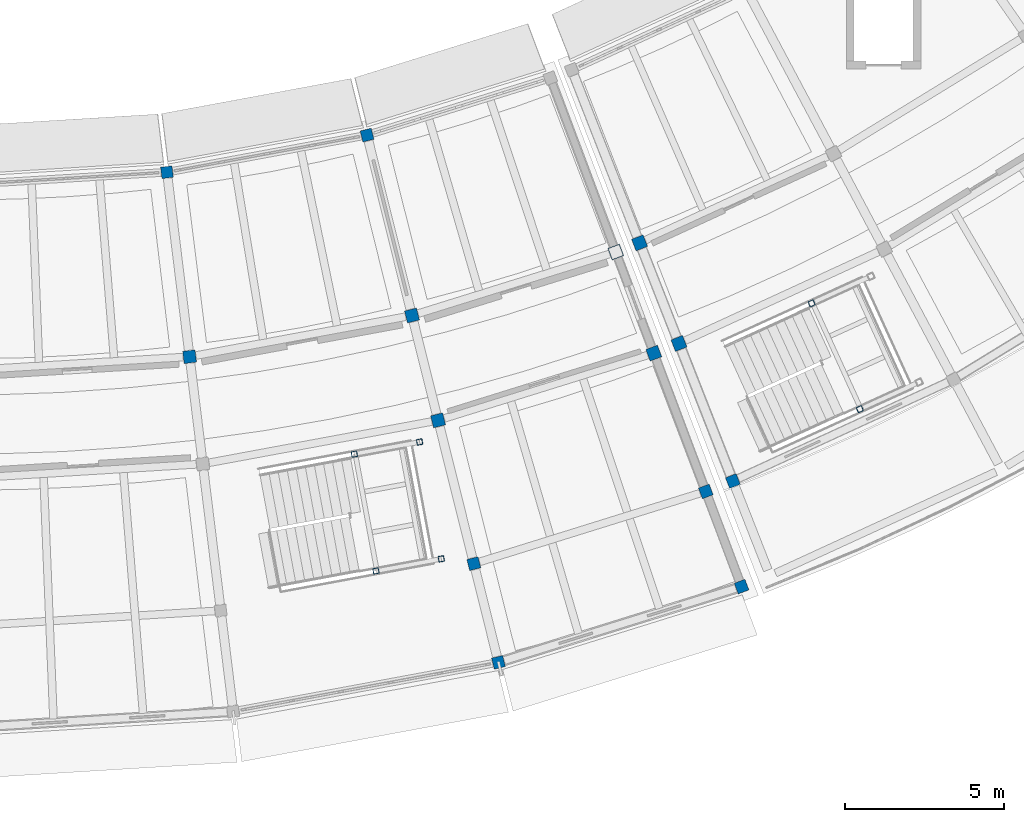
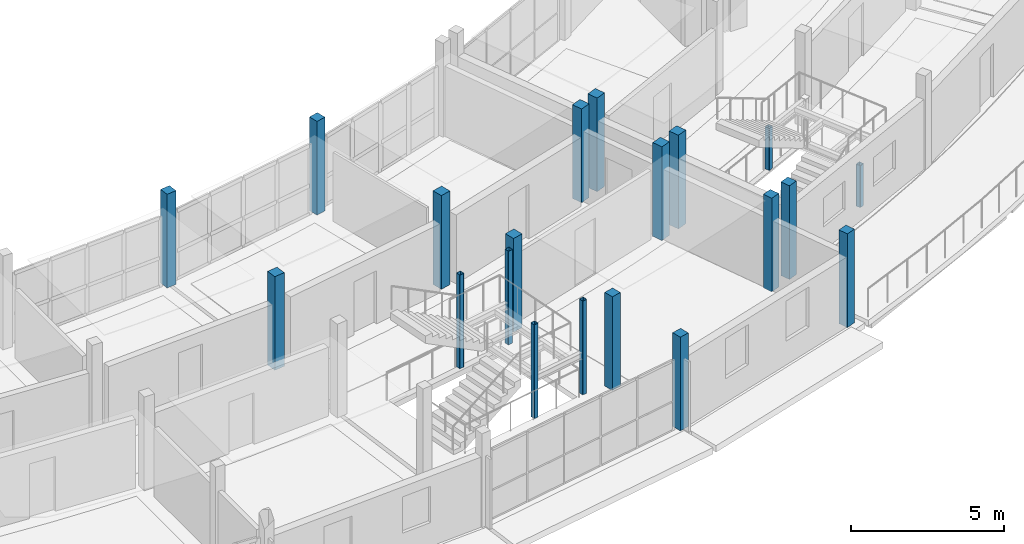
# One storey, part 5 of 36: 20 columns.
"""IFC4 building model written with IfcOpenShell, lengths in metres."""

from ifc_helpers import new_model, si_unit, direction, frame, origin, origin_2d, place, context, subcontext, project, spatial, rectangle, hollow_rectangle, extrude, material, material_profile, profile_set, type_object, element, save


model = new_model("IFC4")

# Units and contexts
model_context = context("Model", 3, precision=1e-05, world=origin(), true_north=direction((0.0, 1.0)))
body_context = subcontext(model_context, "Body", "Model", "MODEL_VIEW")
ifc_project = project(units=[si_unit("LENGTHUNIT", "METRE"), si_unit("AREAUNIT", "SQUARE_METRE"), si_unit("VOLUMEUNIT", "CUBIC_METRE"), si_unit("PLANEANGLEUNIT", "RADIAN"), si_unit("MASSUNIT", "GRAM", prefix="KILO")], contexts=[model_context])

# Site, building, storey
site_placement = place(None, origin())
site = spatial("IfcSite", under=ifc_project, at=site_placement, CompositionType="ELEMENT")
building_placement = place(site_placement, origin())
building = spatial("IfcBuilding", under=site, at=building_placement, Name="Caldaven Crescent School", CompositionType="ELEMENT")
storey_placement = place(building_placement, frame((0.0, 0.0, 11.89990234375)))
storey = spatial("IfcBuildingStorey", under=building, at=storey_placement, Name="L03", CompositionType="ELEMENT", Elevation=11.89990234375)

# Columns
ifc_material_1 = material(Name="Glulam MLE24h (GL28h)", Category="wood")
ifc_material_profile_1 = material_profile(ifc_material_1, rectangle(XDim=0.360107421875, YDim=0.360107421875, at=origin_2d()), Name="MLE 360x360")
ifc_profile_set_1 = profile_set([ifc_material_profile_1], Name="Glulam MLE24h (GL28h)")
column_type_1 = type_object("IfcColumnType", Name="COL-GL36", PredefinedType="COLUMN", material=ifc_profile_set_1)
for number, where, z_axis, x_axis, name in (
    (1, (94.39208984375, 43.94091796875, 0.0), (0.0, 0.0, 1.0), (0.121869343405, -0.992546151641, 0.0), "COL-V5-L03-04-0"),
    (2, (100.688720703125, 45.10791015625, 0.0), (0.0, 0.0, 1.0), (0.2419218956, -0.970295726276, 0.0), "COL-V5-L03-05-0"),
    (3, (104.051513671875, 31.620849609375, 0.0), (0.0, 0.0, 1.0), (0.2419218956, -0.970295726276, 0.0), "COL-V5-L03-05-3"),
    (4, (104.82568359375, 28.515869140625, 0.0), (0.0, 0.0, 1.0), (0.2419218956, -0.970295726276, 0.0), "COL-V5-L03-05-4"),
    (5, (111.3505859375, 33.894775390625, 0.0), (0.0, 0.0, 1.0), (0.352005016254, -0.93599811353, 0.0), "COL-V5-L03-06-3"),
    (6, (112.476806640625, 30.8994140625, 0.0), (0.0, 0.0, 1.0), (0.352005016254, -0.93599811353, 0.0), "COL-V5-L03-06-4"),
    (7, (112.20361328125, 34.22216796875, 0.0), (0.0, 0.0, 1.0), (0.364714278886, -0.931119484694, 0.0), "COL-V4E-L03-00-3"),
):
    element("IfcColumn", number, at=place(storey_placement, frame(where, z_axis=z_axis, x_axis=x_axis)), inside=storey, type_object=column_type_1, Name=name, PredefinedType="COLUMN", context=body_context, shape_type="SweptSolid", body=[
        extrude(rectangle(XDim=0.360107421875, YDim=0.360107421875, at=origin_2d()), origin(), (0.0, 0.0, 1.0), 3.739990234375),
    ])
ifc_material_profile_2 = material_profile(ifc_material_1, rectangle(XDim=0.389892578125, YDim=0.389892578125, at=origin_2d()), Name="MLE 390x390")
ifc_profile_set_2 = profile_set([ifc_material_profile_2], Name="Glulam MLE24h (GL28h)")
column_type_2 = type_object("IfcColumnType", Name="COL-GL39", PredefinedType="COLUMN", material=ifc_profile_set_2)
for number, where, z_axis, x_axis, name in (
    (8, (95.10498046875, 38.134521484375, 0.0), (0.0, 0.0, 1.0), (0.121869343405, -0.992546151641, 0.0), "COL-V5-L03-04-1"),
    (9, (102.10400390625, 39.431640625, 0.0), (0.0, 0.0, 1.0), (0.2419218956, -0.970295726276, 0.0), "COL-V5-L03-05-1"),
    (10, (102.926513671875, 36.1328125, 0.0), (0.0, 0.0, 1.0), (0.2419218956, -0.970295726276, 0.0), "COL-V5-L03-05-2"),
    (11, (108.517578125, 41.4296875, 0.0), (0.0, 0.0, 1.0), (0.352005016254, -0.93599811353, 0.0), "COL-V5-L03-06-1"),
    (12, (109.714111328125, 38.247314453125, 0.0), (0.0, 0.0, 1.0), (0.352005016254, -0.93599811353, 0.0), "COL-V5-L03-06-2"),
    (13, (109.26708984375, 41.71728515625, 0.0), (0.0, 0.0, 1.0), (0.364714278886, -0.931119484694, 0.0), "COL-V4E-L03-00-1"),
    (14, (110.50732421875, 38.5517578125, 0.0), (0.0, 0.0, 1.0), (0.364714278886, -0.931119484694, 0.0), "COL-V4E-L03-00-2"),
):
    element("IfcColumn", number, at=place(storey_placement, frame(where, z_axis=z_axis, x_axis=x_axis)), inside=storey, type_object=column_type_2, Name=name, PredefinedType="COLUMN", context=body_context, shape_type="SweptSolid", body=[
        extrude(rectangle(XDim=0.389892578125, YDim=0.389892578125, at=origin_2d()), origin(), (0.0, 0.0, 1.0), 3.739990234375),
    ])
ifc_material_2 = material(Name="Steel ASTM A572 Grade 50", Category="steel")
ifc_material_profile_3 = material_profile(ifc_material_2, hollow_rectangle(XDim=0.179931640625, YDim=0.179931640625, WallThickness=0.010009765625, InnerFilletRadius=0.010009765625, OuterFilletRadius=0.02001953125, at=origin_2d()), Name="HSS 180x180x10")
ifc_profile_set_3 = profile_set([ifc_material_profile_3], Name="Steel ASTM A572 Grade 50")
column_type_3 = type_object("IfcColumnType", Name="COL-HS18", PredefinedType="COLUMN", material=ifc_profile_set_3)
for number, where, z_axis, x_axis, name in (
    (15, (100.97119140625, 31.391845703125, 0.0), (0.0, 0.0, 1.0), (0.983254907564, 0.182235525492, 0.0), "COL-STPOST-ST3-L03-A"),
    (16, (100.28955078125, 35.0693359375, 0.0), (0.0, 0.0, 1.0), (0.983254907564, 0.182235525492, 0.0), "COL-STPOST-ST3-L03-B"),
    (17, (103.026123046875, 31.772705078125, 0.0), (0.0, 0.0, 1.0), (0.983254907564, 0.182235525492, 0.0), "COL-STPOST-ST3-L03-C"),
    (18, (102.344482421875, 35.4501953125, 0.0), (0.0, 0.0, 1.0), (0.983254907564, 0.182235525492, 0.0), "COL-STPOST-ST3-L03-D"),
):
    element("IfcColumn", number, at=place(storey_placement, frame(where, z_axis=z_axis, x_axis=x_axis)), inside=storey, type_object=column_type_3, Name=name, PredefinedType="COLUMN", context=body_context, shape_type="SweptSolid", body=[
        extrude(hollow_rectangle(XDim=0.179931640625, YDim=0.179931640625, WallThickness=0.010009765625, InnerFilletRadius=0.010009765625, OuterFilletRadius=0.02001953125, at=origin_2d()), origin(), (0.0, 0.0, 1.0), 3.739990234375),
    ])
for number, where, z_axis, x_axis, name in (
    (19, (116.19921875, 36.4853515625, 0.0), (0.0, 0.0, 1.0), (0.909961270877, 0.414693242656, 0.0), "COL-STPOST-ST4-L03-A"),
    (20, (114.681640625, 39.81591796875, 0.0), (0.0, 0.0, 1.0), (0.909961270877, 0.414693242656, 0.0), "COL-STPOST-ST4-L03-B"),
):
    element("IfcColumn", number, at=place(storey_placement, frame(where, z_axis=z_axis, x_axis=x_axis)), inside=storey, type_object=column_type_3, Name=name, PredefinedType="COLUMN", context=body_context, shape_type="SweptSolid", body=[
        extrude(hollow_rectangle(XDim=0.179931640625, YDim=0.179931640625, WallThickness=0.010009765625, InnerFilletRadius=0.010009765625, OuterFilletRadius=0.02001953125, at=origin_2d()), origin(), (0.0, 0.0, 1.0), 1.675048828125),
    ])

save(model, "model.ifc")
